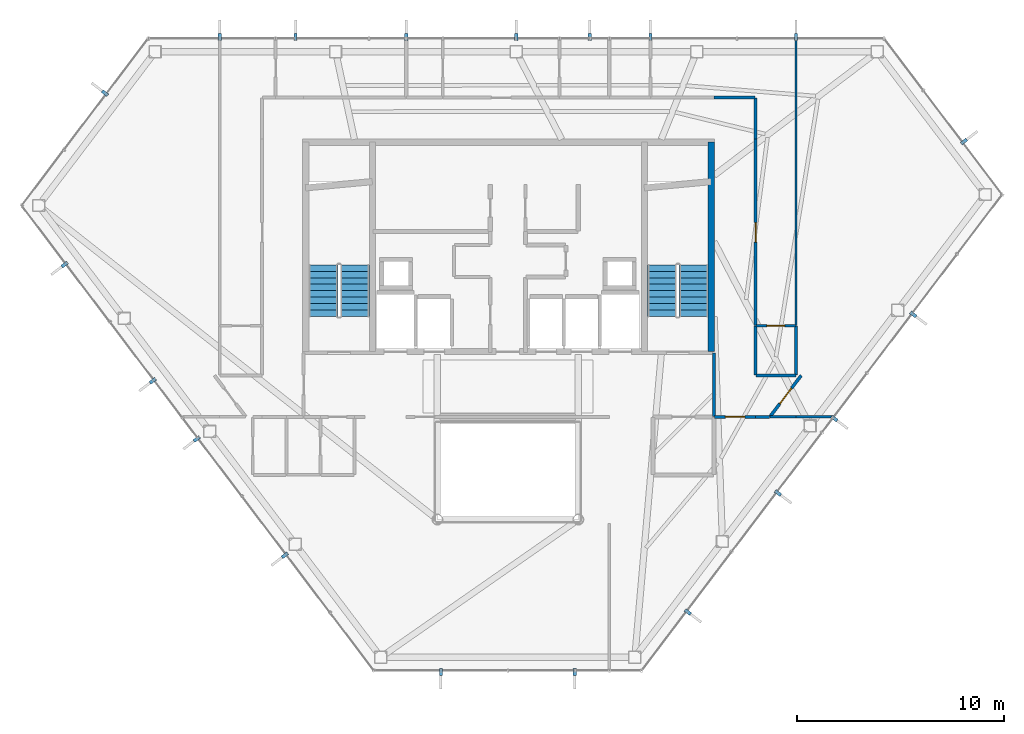
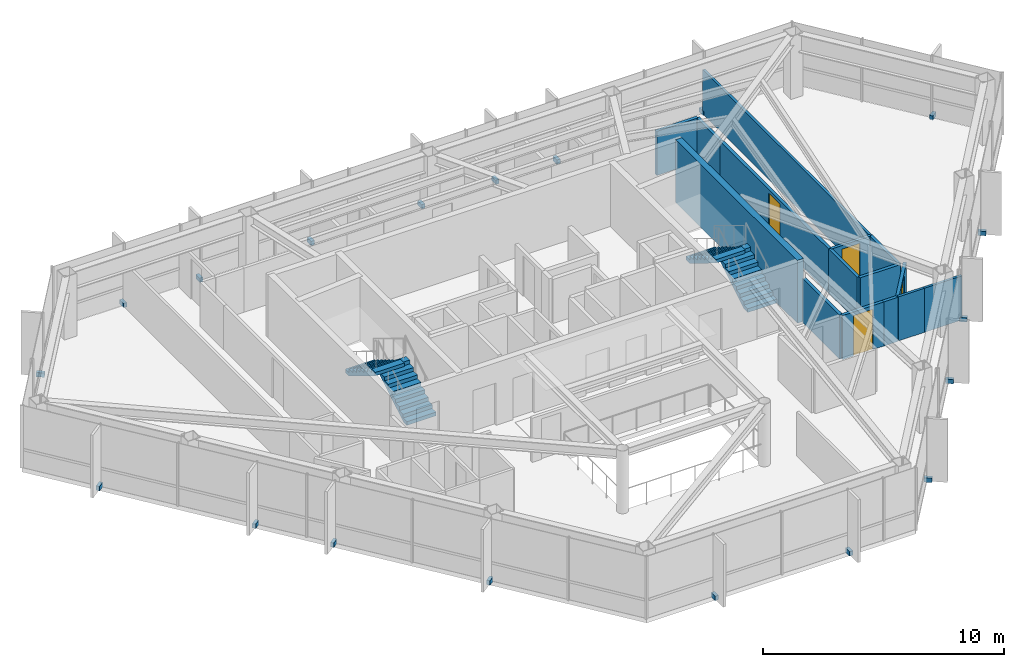
# One storey, part 24 of 25: 19 discrete accessories, 15 walls, 4 doors, 4 stair flights, 4 openings, 2 elements without a shape of their own.
"""IFC4 building model written with IfcOpenShell, lengths in metres."""

from ifc_helpers import new_model, si_unit, direction, frame, frame_2d, origin, origin_2d, place, context, subcontext, project, spatial, polyline, rectangle, outline, extrude, material, layer, layer_set, type_object, element, fill, aggregate, save


model = new_model("IFC4")

# Units and contexts
model_context = context("Model", 3, precision=1e-05, world=origin(), true_north=direction((0.0, 1.0)))
body_context = subcontext(model_context, "Body", "Model", "MODEL_VIEW")
ifc_project = project(units=[si_unit("LENGTHUNIT", "METRE"), si_unit("AREAUNIT", "SQUARE_METRE"), si_unit("VOLUMEUNIT", "CUBIC_METRE"), si_unit("PLANEANGLEUNIT", "RADIAN"), si_unit("MASSUNIT", "GRAM", prefix="KILO")], contexts=[model_context])

# Site, building, storey
site_placement = place(None, origin())
site = spatial("IfcSite", under=ifc_project, at=site_placement, CompositionType="ELEMENT")
building_placement = place(site_placement, origin())
building = spatial("IfcBuilding", under=site, at=building_placement, Name="Zarrinselat Tower", CompositionType="ELEMENT")
storey_placement = place(building_placement, frame((0.0, 0.0, 212.159912109375)))
storey = spatial("IfcBuildingStorey", under=building, at=storey_placement, Name="L52", CompositionType="ELEMENT", Elevation=212.159912109375)

# Walls
ifc_material_1 = material(Name="Fire-Rated Gypsum Board Partition", Category="gypsum")
ifc_layer_1 = layer(ifc_material_1, 0.14990234375)
ifc_layer_set_1 = layer_set([ifc_layer_1], Name="Fire-Rated Gypsum Board Partition")
wall_type_1 = type_object("IfcWallType", Name="WAL-PART-EI60", PredefinedType="PARTITIONING", material=ifc_layer_set_1)
wall_1_placement = place(storey_placement, frame((48.35009765625, 30.169921875, 0.0), z_axis=(0.0, 0.0, 1.0), x_axis=(0.0, 1.0, 0.0)))
element("IfcWall", 1, at=wall_1_placement, inside=storey, type_object=wall_type_1, Name="L52 Partition Wall 18", PredefinedType="PARTITIONING", context=body_context, shape_type="SweptSolid", body=[
    extrude(rectangle(XDim=3.06005859375, YDim=0.14990234375, at=frame_2d((1.530029296875, 0.0))), origin(), (0.0, 0.0, 1.0), 2.235107421875),
])
wall_2_placement = place(storey_placement, frame((50.35009765625, 30.14990234375, 0.0), z_axis=(0.0, 0.0, 1.0), x_axis=(1.0, 0.0, 0.0)))
element("IfcWall", 2, at=wall_2_placement, inside=storey, type_object=wall_type_1, Name="L52 Partition Wall 29", PredefinedType="PARTITIONING", context=body_context, shape_type="SweptSolid", body=[
    extrude(rectangle(XDim=0.6650390625, YDim=0.14990234375, at=frame_2d((0.33251953125, 0.0))), origin(), (0.0, 0.0, 1.0), 2.235107421875),
])

# Wall, opening, door
wall_3_placement = place(storey_placement, frame((48.3701171875, 30.14990234375, 0.0), z_axis=(0.0, 0.0, 1.0), x_axis=(1.0, 0.0, 0.0)))
wall_3 = element("IfcWall", 3, at=wall_3_placement, inside=storey, type_object=wall_type_1, Name="L52 Partition Wall 30", PredefinedType="PARTITIONING", context=body_context, shape_type="SweptSolid", body=[
    extrude(rectangle(XDim=1.97998046875, YDim=0.14990234375, at=frame_2d((0.989990234375, 0.0))), origin(), (0.0, 0.0, 1.0), 2.235107421875),
])
opening_1_placement = place(wall_3_placement, frame((0.52001953125, 0.0, 0.0)))
opening_1 = element("IfcOpeningElement", 4, at=opening_1_placement, cuts=wall_3, Name="Opening ID-04", PredefinedType="OPENING", context=body_context, shape_type="SweptSolid", body=[
    extrude(rectangle(XDim=0.93994140625, YDim=2.050048828125, at=frame_2d((0.469970703125, 1.02490234375))), frame((0.0, 0.0849609375, 0.0), z_axis=(0.0, -1.0, 0.0), x_axis=(1.0, 0.0, 0.0)), (0.0, 0.0, 1.0), 0.169921875),
])
ifc_material_2 = material(Name="Fire-Rated Gypsum Board Partition")
door_type_1 = type_object("IfcDoorType", Name="DR-INT-FD30-ENT", OperationType="NOTDEFINED", PredefinedType="DOOR", material=ifc_material_2)
door_1_placement = place(opening_1_placement, origin())
door_1 = element("IfcDoor", 5, at=door_1_placement, inside=storey, type_object=door_type_1, Name="L52 Interior Door P30", OperationType="SINGLE_SWING_RIGHT", OverallHeight=2.050048828125, OverallWidth=0.93994140625, PredefinedType="DOOR", context=body_context, shape_type="SweptSolid", body=[
    extrude(rectangle(XDim=0.93994140625, YDim=2.050048828125, at=frame_2d((0.469970703125, 1.02490234375))), frame((0.0, 0.02490234375, 0.0), z_axis=(0.0, -1.0, 0.0), x_axis=(1.0, 0.0, 0.0)), (0.0, 0.0, 1.0), 0.050048828125),
])
fill(opening_1, door_1)

wall_4_placement = place(storey_placement, frame((51.04736328125, 30.166015625, 0.0), z_axis=(0.0, 0.0, 1.0), x_axis=(0.60385391082, 0.797095009637, 0.0)))
wall_4 = element("IfcWall", 6, at=wall_4_placement, inside=storey, type_object=wall_type_1, Name="L52 Partition Wall 32", PredefinedType="PARTITIONING", context=body_context, shape_type="SweptSolid", body=[
    extrude(rectangle(XDim=2.489013671875, YDim=0.14990234375, at=frame_2d((1.24462890625, 0.0))), origin(), (0.0, 0.0, 1.0), 2.235107421875),
])
opening_2_placement = place(wall_4_placement, frame((0.774658203125, 0.0, 0.0)))
opening_2 = element("IfcOpeningElement", 7, at=opening_2_placement, cuts=wall_4, Name="Opening ID-04", PredefinedType="OPENING", context=body_context, shape_type="SweptSolid", body=[
    extrude(rectangle(XDim=0.93994140625, YDim=2.050048828125, at=frame_2d((0.469970703125, 1.02490234375))), frame((0.0, 0.0849609375, 0.0), z_axis=(0.0, -1.0, 0.0), x_axis=(1.0, 0.0, 0.0)), (0.0, 0.0, 1.0), 0.169921875),
])
door_2_placement = place(opening_2_placement, origin())
door_2 = element("IfcDoor", 8, at=door_2_placement, inside=storey, type_object=door_type_1, Name="L52 Interior Door P32", OperationType="SINGLE_SWING_RIGHT", OverallHeight=2.050048828125, OverallWidth=0.93994140625, PredefinedType="DOOR", context=body_context, shape_type="SweptSolid", body=[
    extrude(rectangle(XDim=0.93994140625, YDim=2.050048828125, at=frame_2d((0.469970703125, 1.02490234375))), frame((0.0, 0.02490234375, 0.0), z_axis=(0.0, -1.0, 0.0), x_axis=(1.0, 0.0, 0.0)), (0.0, 0.0, 1.0), 0.050048828125),
])
fill(opening_2, door_2)

# Walls
for number, where, z_axis, x_axis, name in (
    (9, (48.35009765625, 45.550048828125, 0.0), (0.0, 0.0, 1.0), (1.0, 0.0, 0.0), "L52 Partition Wall 41"),
    (10, (50.35009765625, 43.550048828125, 0.0), (0.0, 0.0, 1.0), (0.0, 1.0, 0.0), "L52 Partition Wall 42"),
):
    element("IfcWall", number, at=place(storey_placement, frame(where, z_axis=z_axis, x_axis=x_axis)), inside=storey, type_object=wall_type_1, Name=name, PredefinedType="PARTITIONING", context=body_context, shape_type="SweptSolid", body=[
        extrude(rectangle(XDim=1.97998046875, YDim=0.14990234375, at=frame_2d((0.989990234375, 0.0))), origin(), (0.0, 0.0, 1.0), 2.235107421875),
    ])

# Wall, opening, door
wall_5_placement = place(storey_placement, frame((50.35009765625, 34.554931640625, 0.0), z_axis=(0.0, 0.0, 1.0), x_axis=(0.0, 1.0, 0.0)))
wall_5 = element("IfcWall", 11, at=wall_5_placement, inside=storey, type_object=wall_type_1, Name="L52 Partition Wall 43", PredefinedType="PARTITIONING", context=body_context, shape_type="SweptSolid", body=[
    extrude(rectangle(XDim=8.9951171875, YDim=0.14990234375, at=frame_2d((4.49755859375, 0.0))), origin(), (0.0, 0.0, 1.0), 2.235107421875),
])
opening_3_placement = place(wall_5_placement, frame((4.027587890625, 0.0, 0.0)))
opening_3 = element("IfcOpeningElement", 12, at=opening_3_placement, cuts=wall_5, Name="Opening ID-04", PredefinedType="OPENING", context=body_context, shape_type="SweptSolid", body=[
    extrude(rectangle(XDim=0.93994140625, YDim=2.050048828125, at=frame_2d((0.469970703125, 1.02490234375))), frame((0.0, 0.0849609375, 0.0), z_axis=(0.0, -1.0, 0.0), x_axis=(1.0, 0.0, 0.0)), (0.0, 0.0, 1.0), 0.169921875),
])
door_3_placement = place(opening_3_placement, origin())
door_3 = element("IfcDoor", 13, at=door_3_placement, inside=storey, type_object=door_type_1, Name="L52 Interior Door P43", OperationType="SINGLE_SWING_RIGHT", OverallHeight=2.050048828125, OverallWidth=0.93994140625, PredefinedType="DOOR", context=body_context, shape_type="SweptSolid", body=[
    extrude(rectangle(XDim=0.93994140625, YDim=2.050048828125, at=frame_2d((0.469970703125, 1.02490234375))), frame((0.0, 0.02490234375, 0.0), z_axis=(0.0, -1.0, 0.0), x_axis=(1.0, 0.0, 0.0)), (0.0, 0.0, 1.0), 0.050048828125),
])
fill(opening_3, door_3)

# Walls
wall_6_placement = place(storey_placement, frame((50.35009765625, 32.169921875, 0.0), z_axis=(0.0, 0.0, 1.0), x_axis=(0.0, 1.0, 0.0)))
element("IfcWall", 14, at=wall_6_placement, inside=storey, type_object=wall_type_1, Name="L52 Partition Wall 45", PredefinedType="PARTITIONING", context=body_context, shape_type="SweptSolid", body=[
    extrude(rectangle(XDim=2.375, YDim=0.14990234375, at=frame_2d((1.1875, 0.0))), origin(), (0.0, 0.0, 1.0), 2.235107421875),
])
wall_7_placement = place(storey_placement, frame((50.3701171875, 32.14990234375, 0.0), z_axis=(0.0, 0.0, 1.0), x_axis=(1.0, 0.0, 0.0)))
element("IfcWall", 15, at=wall_7_placement, inside=storey, type_object=wall_type_1, Name="L52 Partition Wall 46", PredefinedType="PARTITIONING", context=body_context, shape_type="SweptSolid", body=[
    extrude(rectangle(XDim=1.9248046875, YDim=0.14990234375, at=frame_2d((0.96240234375, 0.0))), origin(), (0.0, 0.0, 1.0), 2.235107421875),
])
ifc_material_3 = material(Name="Fire-Rated Gypsum Board Partition", Category="gypsum")
ifc_layer_2 = layer(ifc_material_3, 0.1201171875)
ifc_layer_set_2 = layer_set([ifc_layer_2], Name="Fire-Rated Gypsum Board Partition")
wall_type_2 = type_object("IfcWallType", Name="WAL-PART-STD", PredefinedType="PARTITIONING", material=ifc_layer_set_2)
wall_8_placement = place(storey_placement, frame((51.05517578125, 30.14990234375, 0.0), z_axis=(0.0, 0.0, 1.0), x_axis=(1.0, 0.0, 0.0)))
element("IfcWall", 16, at=wall_8_placement, inside=storey, type_object=wall_type_2, Name="L52 Partition Wall 60", PredefinedType="PARTITIONING", context=body_context, shape_type="SweptSolid", body=[
    extrude(rectangle(XDim=1.244873046875, YDim=0.1201171875, at=frame_2d((0.62255859375, 0.0))), origin(), (0.0, 0.0, 1.0), 2.235107421875),
])
wall_9_placement = place(storey_placement, frame((52.300048828125, 30.14990234375, 0.0), z_axis=(0.0, 0.0, 1.0), x_axis=(1.0, 0.0, 0.0)))
element("IfcWall", 17, at=wall_9_placement, inside=storey, type_object=wall_type_2, Name="L52 Partition Wall 61", PredefinedType="PARTITIONING", context=body_context, shape_type="SweptSolid", body=[
    extrude(rectangle(XDim=1.806396484375, YDim=0.1201171875, at=frame_2d((0.9033203125, 0.0))), origin(), (0.0, 0.0, 1.0), 2.235107421875),
])
wall_10_placement = place(storey_placement, frame((52.300048828125, 34.554931640625, 0.0), z_axis=(0.0, 0.0, 1.0), x_axis=(0.0, 1.0, 0.0)))
element("IfcWall", 18, at=wall_10_placement, inside=storey, type_object=wall_type_2, Name="L52 Partition Wall 64", PredefinedType="PARTITIONING", context=body_context, shape_type="SweptSolid", body=[
    extrude(rectangle(XDim=13.841064453125, YDim=0.1201171875, at=frame_2d((6.92041015625, 0.0))), origin(), (0.0, 0.0, 1.0), 2.235107421875),
])
ifc_material_4 = material(Name="Fire-Rated Gypsum Board Partition", Category="gypsum")
ifc_layer_3 = layer(ifc_material_4, 0.135009765625)
ifc_layer_set_3 = layer_set([ifc_layer_3], Name="Fire-Rated Gypsum Board Partition")
wall_type_3 = type_object("IfcWallType", Name="WAL-PART-WET", PredefinedType="PARTITIONING", material=ifc_layer_set_3)
wall_11_placement = place(storey_placement, frame((52.300048828125, 32.169921875, 0.0), z_axis=(0.0, 0.0, 1.0), x_axis=(0.0, 1.0, 0.0)))
element("IfcWall", 19, at=wall_11_placement, inside=storey, type_object=wall_type_3, Name="L52 Partition Wall 65", PredefinedType="PARTITIONING", context=body_context, shape_type="SweptSolid", body=[
    extrude(rectangle(XDim=2.375, YDim=0.135009765625, at=frame_2d((1.1875, 0.0))), origin(), (0.0, 0.0, 1.0), 2.235107421875),
])

# Wall, opening, door
wall_12_placement = place(storey_placement, frame((50.3701171875, 34.550048828125, 0.0), z_axis=(0.0, 0.0, 1.0), x_axis=(1.0, 0.0, 0.0)))
wall_12 = element("IfcWall", 20, at=wall_12_placement, inside=storey, type_object=wall_type_3, Name="L52 Partition Wall 70", PredefinedType="PARTITIONING", context=body_context, shape_type="SweptSolid", body=[
    extrude(rectangle(XDim=1.909912109375, YDim=0.135009765625, at=frame_2d((0.955078125, 0.0))), origin(), (0.0, 0.0, 1.0), 2.235107421875),
])
opening_4_placement = place(wall_12_placement, frame((0.52490234375, 0.0, 0.0)))
opening_4 = element("IfcOpeningElement", 21, at=opening_4_placement, cuts=wall_12, Name="Opening ID-06", PredefinedType="OPENING", context=body_context, shape_type="SweptSolid", body=[
    extrude(rectangle(XDim=0.860107421875, YDim=2.050048828125, at=frame_2d((0.43017578125, 1.02490234375))), frame((0.0, 0.077392578125, 0.0), z_axis=(0.0, -1.0, 0.0), x_axis=(1.0, 0.0, 0.0)), (0.0, 0.0, 1.0), 0.155029296875),
])
ifc_material_5 = material(Name="Extruded Aluminium Alloy EN AW-6063 T6", Category="aluminium")
door_type_2 = type_object("IfcDoorType", Name="DR-INT-WET-900", OperationType="NOTDEFINED", PredefinedType="DOOR", material=ifc_material_5)
door_4_placement = place(opening_4_placement, origin())
door_4 = element("IfcDoor", 22, at=door_4_placement, inside=storey, type_object=door_type_2, Name="L52 Interior Door P70", OperationType="SINGLE_SWING_LEFT", OverallHeight=2.050048828125, OverallWidth=0.860107421875, PredefinedType="DOOR", context=body_context, shape_type="SweptSolid", body=[
    extrude(rectangle(XDim=0.860107421875, YDim=2.050048828125, at=frame_2d((0.43017578125, 1.02490234375))), frame((0.0, 0.02490234375, 0.0), z_axis=(0.0, -1.0, 0.0), x_axis=(1.0, 0.0, 0.0)), (0.0, 0.0, 1.0), 0.050048828125),
])
fill(opening_4, door_4)

# Wall
ifc_material_6 = material(Name="Concrete C40/50", Category="concrete")
ifc_layer_4 = layer(ifc_material_6, 0.300048828125)
ifc_layer_set_4 = layer_set([ifc_layer_4], Name="Concrete C40/50")
wall_type_4 = type_object("IfcWallType", Name="WAL-SHEAR-300", PredefinedType="SHEAR", material=ifc_layer_set_4)
wall_13_placement = place(storey_placement, frame((48.2099609375, 33.300048828125, 0.0), z_axis=(0.0, 0.0, 1.0), x_axis=(0.0, 1.0, 0.0)))
element("IfcWall", 23, at=wall_13_placement, inside=storey, type_object=wall_type_4, Name="L52 Core Shear Wall E", PredefinedType="SHEAR", context=body_context, shape_type="SweptSolid", body=[
    extrude(rectangle(XDim=10.099853515625, YDim=0.300048828125, at=frame_2d((5.0498046875, 0.0))), origin(), (0.0, 0.0, 1.0), 3.18017578125),
])

# Stair, stair flights
ifc_material_7 = material(Name="Concrete C40/50", Category="concrete")
stair_type = type_object("IfcStairType", Name="STR-CORE-155", PredefinedType="HALF_TURN_STAIR", material=ifc_material_7)
stair_1_placement = place(storey_placement, origin())
stair_1 = element("IfcStair", 24, at=stair_1_placement, inside=storey, type_object=stair_type, Name="L52 Core Exit Stair 1", PredefinedType="HALF_TURN_STAIR")
ifc_material_8 = material(Name="Concrete C40/50", Category="concrete")
stair_flight_type = type_object("IfcStairFlightType", Name="STR-FLT-155", PredefinedType="STRAIGHT", material=ifc_material_8)
stair_flight_1_placement = place(storey_placement, frame((31.02001953125, 35.0, 0.0), z_axis=(0.0, 0.0, 1.0), x_axis=(0.0, 1.0, 0.0)))
stair_flight_1 = element("IfcStairFlight", 25, at=stair_flight_1_placement, type_object=stair_flight_type, Name="ST-1 flight 1", NumberOfRisers=9, NumberOfTreads=8, PredefinedType="STRAIGHT", RiserHeight=0.188888889, TreadLength=0.31, context=body_context, shape_type="SweptSolid", body=[
    extrude(outline(polyline([(0.0, 0.0), (0.0, 0.18896484375), (0.31005859375, 0.18896484375), (0.31005859375, 0.377685546875), (0.6201171875, 0.377685546875), (0.6201171875, 0.566650390625), (0.929931640625, 0.566650390625), (0.929931640625, 0.755615234375), (1.239990234375, 0.755615234375), (1.239990234375, 0.9443359375), (1.550048828125, 0.9443359375), (1.550048828125, 1.13330078125), (1.860107421875, 1.13330078125), (1.860107421875, 1.322265625), (2.169921875, 1.322265625), (2.169921875, 1.51123046875), (2.47998046875, 1.51123046875), (2.47998046875, 1.699951171875), (2.47998046875, 1.335693359375), (0.2880859375, 0.0), (0.0, 0.0)])), frame((0.0, 0.699951171875, 0.0), z_axis=(0.0, -1.0, 0.0), x_axis=(1.0, 0.0, 0.0)), (0.0, 0.0, 1.0), 1.39990234375),
])
stair_flight_2_placement = place(storey_placement, frame((29.5, 37.47998046875, 1.7001953125), z_axis=(0.0, 0.0, 1.0), x_axis=(0.0, -1.0, 0.0)))
stair_flight_2 = element("IfcStairFlight", 26, at=stair_flight_2_placement, type_object=stair_flight_type, Name="ST-1 flight 2", NumberOfRisers=9, NumberOfTreads=8, PredefinedType="STRAIGHT", RiserHeight=0.188888889, TreadLength=0.31, context=body_context, shape_type="SweptSolid", body=[
    extrude(outline(polyline([(0.0, 0.0), (0.0, 0.18896484375), (0.31005859375, 0.18896484375), (0.31005859375, 0.377685546875), (0.6201171875, 0.377685546875), (0.6201171875, 0.566650390625), (0.929931640625, 0.566650390625), (0.929931640625, 0.755615234375), (1.239990234375, 0.755615234375), (1.239990234375, 0.9443359375), (1.550048828125, 0.9443359375), (1.550048828125, 1.13330078125), (1.860107421875, 1.13330078125), (1.860107421875, 1.322265625), (2.169921875, 1.322265625), (2.169921875, 1.51123046875), (2.47998046875, 1.51123046875), (2.47998046875, 1.699951171875), (2.47998046875, 1.335693359375), (0.2880859375, 0.0), (0.0, 0.0)])), frame((0.0, 0.699951171875, 0.0), z_axis=(0.0, -1.0, 0.0), x_axis=(1.0, 0.0, 0.0)), (0.0, 0.0, 1.0), 1.39990234375),
])
aggregate(stair_1, [stair_flight_1, stair_flight_2])

stair_2_placement = place(storey_placement, origin())
stair_2 = element("IfcStair", 27, at=stair_2_placement, inside=storey, type_object=stair_type, Name="L52 Core Exit Stair 2", PredefinedType="HALF_TURN_STAIR")
stair_flight_3_placement = place(storey_placement, frame((47.360107421875, 35.0, 0.0), z_axis=(0.0, 0.0, 1.0), x_axis=(0.0, 1.0, 0.0)))
stair_flight_3 = element("IfcStairFlight", 28, at=stair_flight_3_placement, type_object=stair_flight_type, Name="ST-2 flight 1", NumberOfRisers=9, NumberOfTreads=8, PredefinedType="STRAIGHT", RiserHeight=0.188888889, TreadLength=0.31, context=body_context, shape_type="SweptSolid", body=[
    extrude(outline(polyline([(0.0, 0.0), (0.0, 0.18896484375), (0.31005859375, 0.18896484375), (0.31005859375, 0.377685546875), (0.6201171875, 0.377685546875), (0.6201171875, 0.566650390625), (0.929931640625, 0.566650390625), (0.929931640625, 0.755615234375), (1.239990234375, 0.755615234375), (1.239990234375, 0.9443359375), (1.550048828125, 0.9443359375), (1.550048828125, 1.13330078125), (1.860107421875, 1.13330078125), (1.860107421875, 1.322265625), (2.169921875, 1.322265625), (2.169921875, 1.51123046875), (2.47998046875, 1.51123046875), (2.47998046875, 1.699951171875), (2.47998046875, 1.335693359375), (0.2880859375, 0.0), (0.0, 0.0)])), frame((0.0, 0.699951171875, 0.0), z_axis=(0.0, -1.0, 0.0), x_axis=(1.0, 0.0, 0.0)), (0.0, 0.0, 1.0), 1.39990234375),
])
stair_flight_4_placement = place(storey_placement, frame((45.840087890625, 37.47998046875, 1.7001953125), z_axis=(0.0, 0.0, 1.0), x_axis=(0.0, -1.0, 0.0)))
stair_flight_4 = element("IfcStairFlight", 29, at=stair_flight_4_placement, type_object=stair_flight_type, Name="ST-2 flight 2", NumberOfRisers=9, NumberOfTreads=8, PredefinedType="STRAIGHT", RiserHeight=0.188888889, TreadLength=0.31, context=body_context, shape_type="SweptSolid", body=[
    extrude(outline(polyline([(0.0, 0.0), (0.0, 0.18896484375), (0.31005859375, 0.18896484375), (0.31005859375, 0.377685546875), (0.6201171875, 0.377685546875), (0.6201171875, 0.566650390625), (0.929931640625, 0.566650390625), (0.929931640625, 0.755615234375), (1.239990234375, 0.755615234375), (1.239990234375, 0.9443359375), (1.550048828125, 0.9443359375), (1.550048828125, 1.13330078125), (1.860107421875, 1.13330078125), (1.860107421875, 1.322265625), (2.169921875, 1.322265625), (2.169921875, 1.51123046875), (2.47998046875, 1.51123046875), (2.47998046875, 1.699951171875), (2.47998046875, 1.335693359375), (0.2880859375, 0.0), (0.0, 0.0)])), frame((0.0, 0.699951171875, 0.0), z_axis=(0.0, -1.0, 0.0), x_axis=(1.0, 0.0, 0.0)), (0.0, 0.0, 1.0), 1.39990234375),
])
aggregate(stair_2, [stair_flight_3, stair_flight_4])

# Discrete accessories
ifc_material_9 = material(Name="Steel S355J2", Category="steel")
discrete_accessory_type = type_object("IfcDiscreteAccessoryType", Name="ACC-FIN-BRACKET", PredefinedType="BRACKET", material=ifc_material_9)
for number, where, z_axis, x_axis, name in (
    (30, (52.300048828125, 48.481201171875, -0.0498046875), (0.0, 0.0, 1.0), (0.0, 1.0, 0.0), "L52 Fin Fixing Bracket CW-L52-E01-01"),
    (31, (45.280029296875, 48.481201171875, -0.0498046875), (0.0, 0.0, 1.0), (0.0, 1.0, 0.0), "L52 Fin Fixing Bracket CW-L52-E01-03"),
    (32, (42.349853515625, 48.481201171875, -0.0498046875), (0.0, 0.0, 1.0), (0.0, 1.0, 0.0), "L52 Fin Fixing Bracket CW-L52-E01-05"),
    (33, (38.802001953125, 48.481201171875, -0.0498046875), (0.0, 0.0, 1.0), (0.0, 1.0, 0.0), "L52 Fin Fixing Bracket CW-L52-E01-07"),
    (34, (33.5, 48.481201171875, -0.0498046875), (0.0, 0.0, 1.0), (0.0, 1.0, 0.0), "L52 Fin Fixing Bracket CW-L52-E01-09"),
    (35, (28.158447265625, 48.481201171875, -0.0498046875), (0.0, 0.0, 1.0), (0.0, 1.0, 0.0), "L52 Fin Fixing Bracket CW-L52-E01-11"),
    (36, (24.5, 48.481201171875, -0.0498046875), (0.0, 0.0, 1.0), (0.0, 1.0, 0.0), "L52 Fin Fixing Bracket CW-L52-E01-13"),
    (37, (18.970458984375, 45.765380859375, -0.0498046875), (0.0, 0.0, 1.0), (-0.797095319947, 0.603853501206, 0.0), "L52 Fin Fixing Bracket CW-L52-E02-01"),
    (38, (17.0224609375, 37.5, -0.0498046875), (0.0, 0.0, 1.0), (-0.797091267247, -0.603858850791, 0.0), "L52 Fin Fixing Bracket CW-L52-E03-01"),
    (39, (21.271728515625, 31.89111328125, -0.0498046875), (0.0, 0.0, 1.0), (-0.797091267247, -0.603858850791, 0.0), "L52 Fin Fixing Bracket CW-L52-E03-03"),
    (40, (23.396484375, 29.08642578125, -0.0498046875), (0.0, 0.0, 1.0), (-0.797091267247, -0.603858850791, 0.0), "L52 Fin Fixing Bracket CW-L52-E03-05"),
    (41, (27.64599609375, 23.477294921875, -0.0498046875), (0.0, 0.0, 1.0), (-0.797091267247, -0.603858850791, 0.0), "L52 Fin Fixing Bracket CW-L52-E03-07"),
    (42, (35.175537109375, 17.840576171875, -0.0498046875), (0.0, 0.0, 1.0), (0.0, -1.0, 0.0), "L52 Fin Fixing Bracket CW-L52-E04-01"),
    (43, (41.62451171875, 17.840576171875, -0.0498046875), (0.0, 0.0, 1.0), (0.0, -1.0, 0.0), "L52 Fin Fixing Bracket CW-L52-E04-03"),
    (44, (47.07958984375, 20.739013671875, -0.0498046875), (0.0, 0.0, 1.0), (0.797090781384, -0.603859492128, 0.0), "L52 Fin Fixing Bracket CW-L52-E05-01"),
    (45, (51.4296875, 26.48095703125, -0.0498046875), (0.0, 0.0, 1.0), (0.797090781384, -0.603859492128, 0.0), "L52 Fin Fixing Bracket CW-L52-E05-03"),
    (46, (54.149658203125, 30.071533203125, -0.0498046875), (0.0, 0.0, 1.0), (0.797090781384, -0.603859492128, 0.0), "L52 Fin Fixing Bracket CW-L52-E05-05"),
    (47, (57.954345703125, 35.093505859375, -0.0498046875), (0.0, 0.0, 1.0), (0.797090781384, -0.603859492128, 0.0), "L52 Fin Fixing Bracket CW-L52-E05-07"),
    (48, (60.40185546875, 43.43115234375, -0.0498046875), (0.0, 0.0, 1.0), (0.797091993827, 0.603857891707, 0.0), "L52 Fin Fixing Bracket CW-L52-E06-01"),
):
    element("IfcDiscreteAccessory", number, at=place(storey_placement, frame(where, z_axis=z_axis, x_axis=x_axis)), inside=storey, type_object=discrete_accessory_type, Name=name, PredefinedType="BRACKET", context=body_context, shape_type="SweptSolid", body=[
        extrude(rectangle(XDim=0.340087890625, YDim=0.159912109375, at=origin_2d()), origin(), (0.0, 0.0, 1.0), 0.219970703125),
    ])

save(model, "model.ifc")
